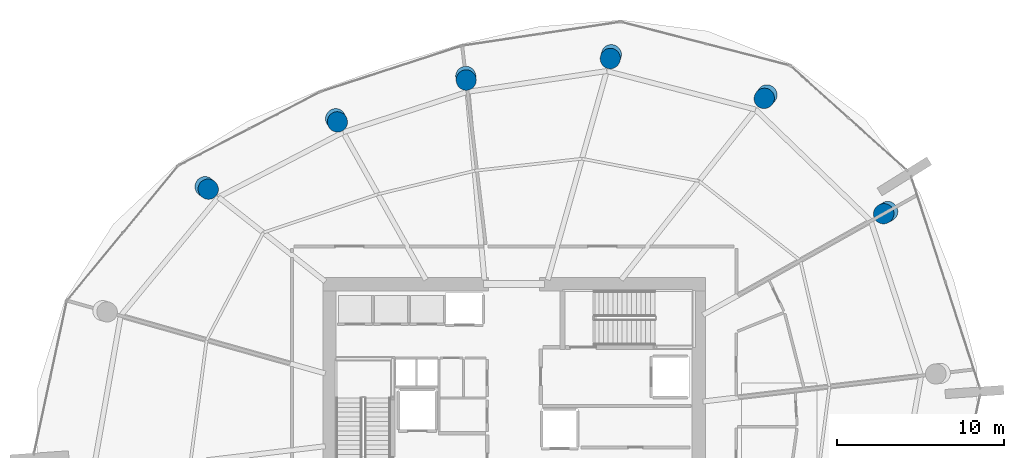
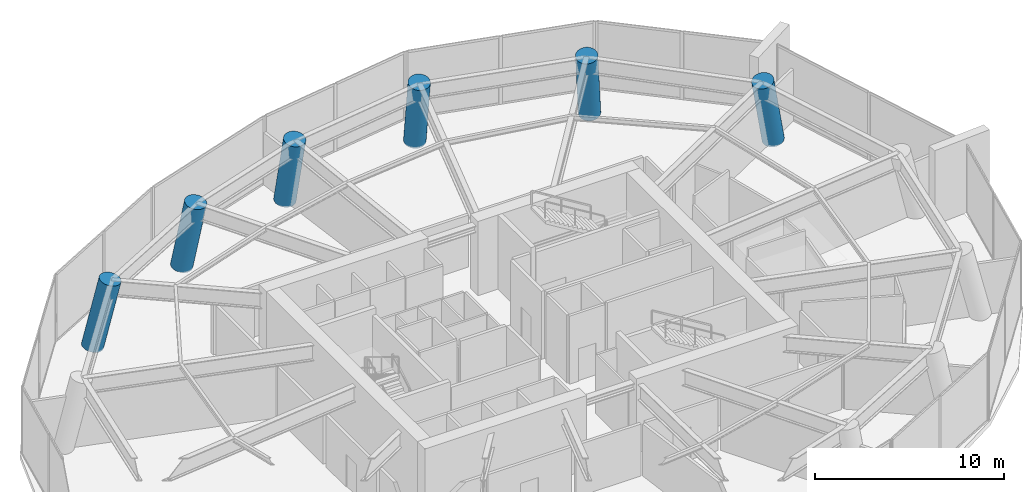
# One storey, part 4 of 16: 6 columns.
"""IFC4 building model written with IfcOpenShell, lengths in metres."""

from ifc_helpers import new_model, si_unit, direction, frame, origin, origin_2d, place, context, subcontext, project, spatial, circle, extrude, material, material_profile, profile_set, type_object, element, save


model = new_model("IFC4")

# Units and contexts
model_context = context("Model", 3, precision=1e-05, world=origin(), true_north=direction((0.0, 1.0)))
body_context = subcontext(model_context, "Body", "Model", "MODEL_VIEW")
ifc_project = project(units=[si_unit("LENGTHUNIT", "METRE"), si_unit("AREAUNIT", "SQUARE_METRE"), si_unit("VOLUMEUNIT", "CUBIC_METRE"), si_unit("PLANEANGLEUNIT", "RADIAN"), si_unit("MASSUNIT", "GRAM", prefix="KILO")], contexts=[model_context])

# Site, building, storey
site_placement = place(None, origin())
site = spatial("IfcSite", under=ifc_project, at=site_placement, CompositionType="ELEMENT")
building_placement = place(site_placement, origin())
building = spatial("IfcBuilding", under=site, at=building_placement, Name="Kazma Halo Residences", CompositionType="ELEMENT")
storey_placement = place(building_placement, frame((0.0, 0.0, 123.0)))
storey = spatial("IfcBuildingStorey", under=building, at=storey_placement, Name="L30", CompositionType="ELEMENT", Elevation=123.0)

# Columns
ifc_material = material(Name="Concrete C80/95", Category="concrete")
ifc_material_profile = material_profile(ifc_material, circle(Radius=0.60009765625, at=origin_2d()), Name="CIRC1200")
ifc_profile_set = profile_set([ifc_material_profile], Name="Concrete C80/95")
column_type = type_object("IfcColumnType", Name="COL-PERIM-1200", PredefinedType="COLUMN", material=ifc_profile_set)
column_1_placement = place(storey_placement, frame((70.7529296875, 54.7421875, 0.0), z_axis=(-0.206990617133, -0.115893184072, 0.971454401557), x_axis=(0.4885341758, -0.872544760499, 0.0)))
element("IfcColumn", 1, at=column_1_placement, inside=storey, type_object=column_type, Name="L30 perimeter ring column P01", PredefinedType="COLUMN", context=body_context, shape_type="SweptSolid", body=[
    extrude(circle(Radius=0.60009765625, at=origin_2d()), origin(), (0.0, 0.0, 1.0), 4.529296875),
])
column_2_placement = place(storey_placement, frame((63.537841796875, 61.709716796875, 0.0), z_axis=(-0.141630520898, -0.179657937645, 0.97348026225), x_axis=(0.785317732316, -0.619092932692, 0.0)))
element("IfcColumn", 2, at=column_2_placement, inside=storey, type_object=column_type, Name="L30 perimeter ring column P02", PredefinedType="COLUMN", context=body_context, shape_type="SweptSolid", body=[
    extrude(circle(Radius=0.60009765625, at=origin_2d()), origin(), (0.0, 0.0, 1.0), 4.519775390625),
])
column_3_placement = place(storey_placement, frame((54.2373046875, 64.11572265625, 0.0), z_axis=(-0.057067229821, -0.202447625182, 0.977628912389), x_axis=(0.96249113016, -0.271313148159, 0.0)))
element("IfcColumn", 3, at=column_3_placement, inside=storey, type_object=column_type, Name="L30 perimeter ring column P03", PredefinedType="COLUMN", context=body_context, shape_type="SweptSolid", body=[
    extrude(circle(Radius=0.60009765625, at=origin_2d()), origin(), (0.0, 0.0, 1.0), 4.50048828125),
])
for number, where, z_axis, x_axis, name in (
    (4, (45.5361328125, 62.816650390625, 0.0), (0.022650658949, -0.19127828098, 0.981274460523), (0.993061557563, 0.117595675476, 0.0), "L30 perimeter ring column P04"),
    (5, (37.757568359375, 60.2890625, 0.0), (0.094088028289, -0.168029893114, 0.981281508005), (0.872525300596, 0.48856893047, 0.0), "L30 perimeter ring column P05"),
):
    element("IfcColumn", number, at=place(storey_placement, frame(where, z_axis=z_axis, x_axis=x_axis)), inside=storey, type_object=column_type, Name=name, PredefinedType="COLUMN", context=body_context, shape_type="SweptSolid", body=[
        extrude(circle(Radius=0.60009765625, at=origin_2d()), origin(), (0.0, 0.0, 1.0), 4.48388671875),
    ])
column_4_placement = place(storey_placement, frame((29.95458984375, 56.225830078125, 0.0), z_axis=(0.165180945589, -0.130191878297, 0.977632512778), x_axis=(0.619016887192, 0.785377675625, 0.0)))
element("IfcColumn", 6, at=column_4_placement, inside=storey, type_object=column_type, Name="L30 perimeter ring column P06", PredefinedType="COLUMN", context=body_context, shape_type="SweptSolid", body=[
    extrude(circle(Radius=0.60009765625, at=origin_2d()), origin(), (0.0, 0.0, 1.0), 4.50048828125),
])

save(model, "model.ifc")
